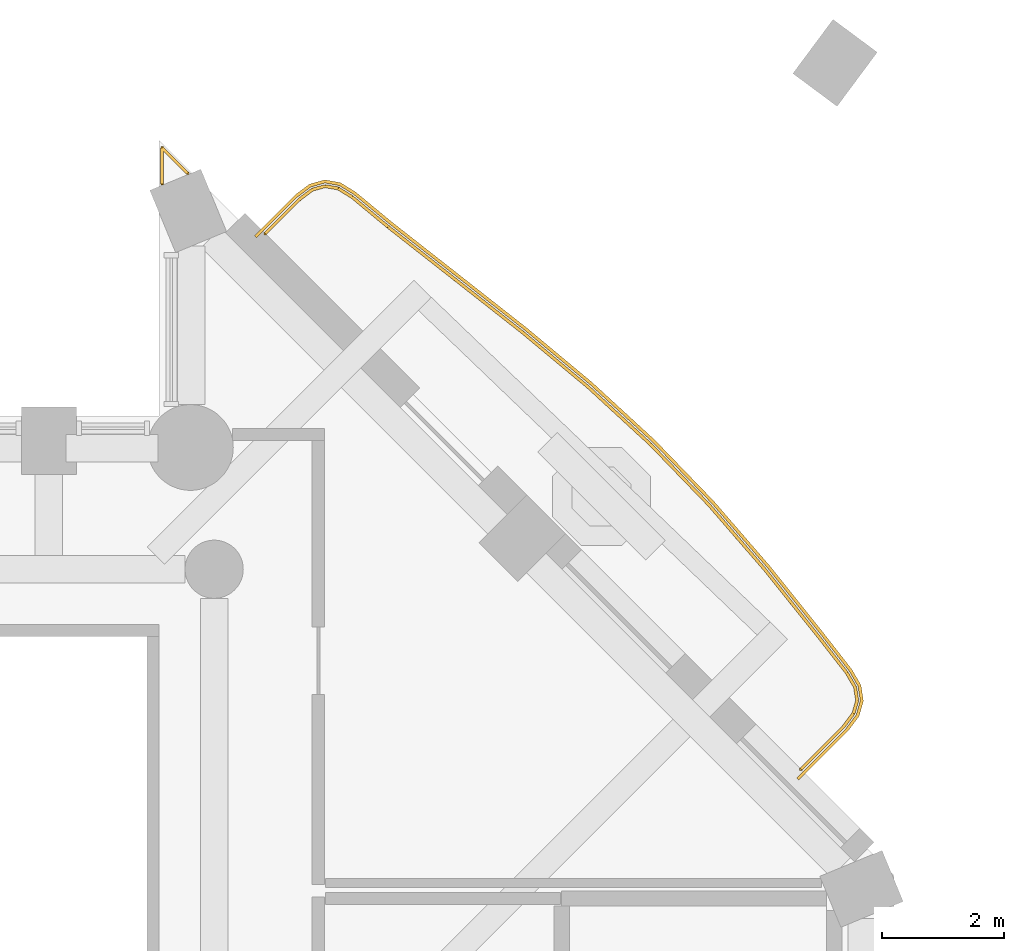
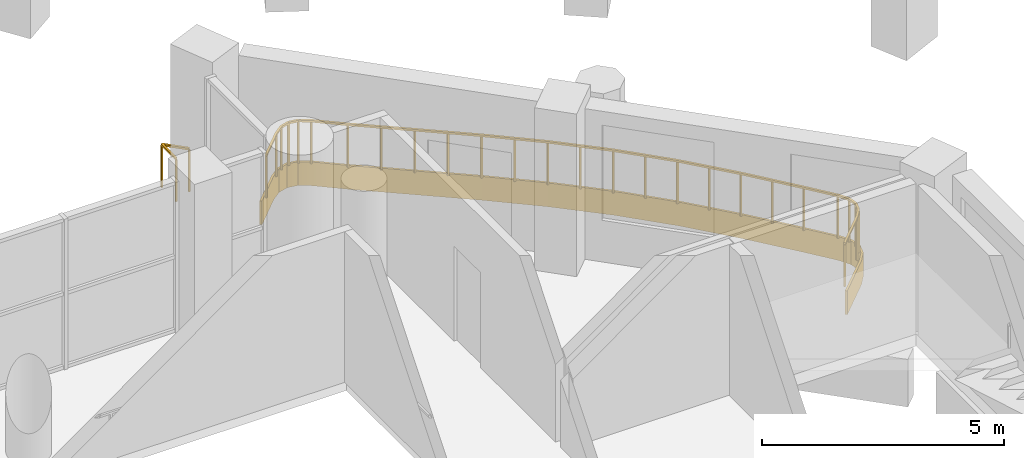
# One storey, part 14 of 15: 2 railings, 1 covering.
"""IFC4 building model written with IfcOpenShell, lengths in metres."""

from ifc_helpers import new_model, si_unit, direction, frame, origin, origin_2d, place, context, subcontext, project, spatial, polyline, rectangle, outline, extrude, material, layer, layer_set, type_object, element, save


model = new_model("IFC4")

# Units and contexts
model_context = context("Model", 3, precision=1e-05, world=origin(), true_north=direction((0.0, 1.0)))
body_context = subcontext(model_context, "Body", "Model", "MODEL_VIEW")
ifc_project = project(units=[si_unit("LENGTHUNIT", "METRE"), si_unit("AREAUNIT", "SQUARE_METRE"), si_unit("VOLUMEUNIT", "CUBIC_METRE"), si_unit("PLANEANGLEUNIT", "RADIAN"), si_unit("MASSUNIT", "GRAM", prefix="KILO")], contexts=[model_context])

# Site, building, storey
site_placement = place(None, origin())
site = spatial("IfcSite", under=ifc_project, at=site_placement, CompositionType="ELEMENT")
building_placement = place(site_placement, origin())
building = spatial("IfcBuilding", under=site, at=building_placement, Name="Cypress Arch Tower", CompositionType="ELEMENT")
storey_placement = place(building_placement, frame((0.0, 0.0, 213.800048828125)))
storey = spatial("IfcBuildingStorey", under=building, at=storey_placement, Name="L47", CompositionType="ELEMENT", Elevation=213.800048828125)

# Covering
ifc_material_1 = material(Name="White powder-coated aluminium fascia", Category="aluminium")
ifc_layer = layer(ifc_material_1, 0.050048828125)
ifc_layer_set = layer_set([ifc_layer], Name="Balcony fascia BF50")
covering_type = type_object("IfcCoveringType", Name="Balcony fascia BF50", PredefinedType="CLADDING", material=ifc_layer_set)
covering_placement = place(storey_placement, frame((0.0, 0.0, -0.60009765625)))
element("IfcCovering", 1, at=covering_placement, inside=storey, type_object=covering_type, Name="Balcony fascia L47-B05", PredefinedType="CLADDING", context=body_context, shape_type="SweptSolid", body=[
    extrude(outline(polyline([(10.3232421875, 16.112060546875), (10.5576171875, 16.28857421875), (10.806640625, 16.357666015625), (11.060791015625, 16.312255859375), (11.310791015625, 16.158447265625), (11.902587890625, 15.668701171875), (13.00048828125, 14.807861328125), (14.098388671875, 13.945068359375), (15.169189453125, 13.053466796875), (16.19189453125, 12.113037109375), (17.15673828125, 11.1142578125), (18.06689453125, 10.0615234375), (18.938720703125, 8.97216796875), (19.4130859375, 8.36328125), (19.560791015625, 8.107666015625), (19.601318359375, 7.849365234375), (19.529296875, 7.59814453125), (19.351318359375, 7.362548828125), (18.545166015625, 6.556396484375), (18.509765625, 6.591796875), (19.3134765625, 7.3955078125), (19.48388671875, 7.620849609375), (19.55029296875, 7.8525390625), (19.5126953125, 8.0908203125), (19.37158203125, 8.33544921875), (18.899658203125, 8.941162109375), (18.028564453125, 10.029541015625), (17.119873046875, 11.080322265625), (16.156982421875, 12.0771484375), (15.13623046875, 13.015869140625), (14.06689453125, 13.90625), (12.969482421875, 14.7685546875), (11.871337890625, 15.629638671875), (11.281494140625, 16.11767578125), (11.042724609375, 16.264892578125), (10.80908203125, 16.306640625), (10.580078125, 16.242919921875), (10.356201171875, 16.07421875), (9.691650390625, 15.40966796875), (9.65625, 15.445068359375), (10.3232421875, 16.112060546875)])), origin(), (0.0, 0.0, 1.0), 0.60009765625),
])

# Railings
ifc_material_2 = material(Name="Powder-coated steel posts and rods, 100 mm clear between rods", Category="steel")
railing_type_1 = type_object("IfcRailingType", Name="Balcony guard GR1100", PredefinedType="GUARDRAIL", material=ifc_material_2)
railing_1_placement = place(storey_placement, frame((9.83251953125, 15.479736328125, 0.0)))
element("IfcRailing", 2, at=railing_1_placement, inside=storey, type_object=railing_type_1, Name="Balcony guard L47-B05", PredefinedType="GUARDRAIL", context=body_context, shape_type="SweptSolid", body=[
    extrude(rectangle(XDim=0.050048828125, YDim=0.050048828125, at=origin_2d()), frame((0.0, 0.0, 1.0751953125), z_axis=(0.707106781187, 0.707106781187, 0.0), x_axis=(-0.707106781187, 0.707106781187, 0.0)), (0.0, 0.0, 1.0), 0.787109375),
    extrude(rectangle(XDim=0.050048828125, YDim=0.050048828125, at=origin_2d()), frame((0.556640625, 0.556640625, 1.0751953125), z_axis=(0.798462580428, 0.602044439934, 0.0), x_axis=(-0.602044439934, 0.798462580428, 0.0)), (0.0, 0.0, 1.0), 0.267333984375),
    extrude(rectangle(XDim=0.050048828125, YDim=0.050048828125, at=origin_2d()), frame((0.77001953125, 0.717529296875, 1.0751953125), z_axis=(0.963372484539, 0.268166843649, 0.0), x_axis=(-0.268166843649, 0.963372484539, 0.0)), (0.0, 0.0, 1.0), 0.216796875),
    extrude(rectangle(XDim=0.050048828125, YDim=0.050048828125, at=origin_2d()), frame((0.978759765625, 0.775634765625, 1.0751953125), z_axis=(0.984441495329, -0.175712669647, 0.0), x_axis=(0.175712669647, 0.984441495329, 0.0)), (0.0, 0.0, 1.0), 0.216796875),
    extrude(rectangle(XDim=0.050048828125, YDim=0.050048828125, at=origin_2d()), frame((1.192138671875, 0.737548828125, 1.0751953125), z_axis=(0.851313517228, -0.524657312333, 0.0), x_axis=(0.524657312333, 0.851313517228, 0.0)), (0.0, 0.0, 1.0), 0.267578125),
    extrude(rectangle(XDim=0.050048828125, YDim=0.050048828125, at=origin_2d()), frame((1.419921875, 0.59716796875, 1.0751953125), z_axis=(0.770421437583, -0.637534946895, 0.0), x_axis=(0.637534946895, 0.770421437583, 0.0)), (0.0, 0.0, 1.0), 0.762451171875),
    extrude(rectangle(XDim=0.050048828125, YDim=0.050048828125, at=origin_2d()), frame((2.00732421875, 0.111083984375, 1.0751953125), z_axis=(0.786870062741, -0.617118711725, 0.0), x_axis=(0.617118711725, 0.786870062741, 0.0)), (0.0, 0.0, 1.0), 1.396484375),
    extrude(rectangle(XDim=0.050048828125, YDim=0.050048828125, at=origin_2d()), frame((3.106201171875, -0.750732421875, 1.0751953125), z_axis=(0.786269745459, -0.617883393025, 0.0), x_axis=(0.617883393025, 0.786269745459, 0.0)), (0.0, 0.0, 1.0), 1.394775390625),
    extrude(rectangle(XDim=0.050048828125, YDim=0.050048828125, at=origin_2d()), frame((4.202880859375, -1.612548828125, 1.0751953125), z_axis=(0.768566831709, -0.639769509431, 0.0), x_axis=(0.639769509431, 0.768566831709, 0.0)), (0.0, 0.0, 1.0), 1.389404296875),
    extrude(rectangle(XDim=0.050048828125, YDim=0.050048828125, at=origin_2d()), frame((5.270751953125, -2.50146484375, 1.0751953125), z_axis=(0.736032949116, -0.676945712606, 0.0), x_axis=(0.676945712606, 0.736032949116, 0.0)), (0.0, 0.0, 1.0), 1.38427734375),
    extrude(rectangle(XDim=0.050048828125, YDim=0.050048828125, at=origin_2d()), frame((6.28955078125, -3.4384765625, 1.0751953125), z_axis=(0.694729984254, -0.719270636811, 0.0), x_axis=(0.719270636811, 0.694729984254, 0.0)), (0.0, 0.0, 1.0), 1.3828125),
    extrude(rectangle(XDim=0.050048828125, YDim=0.050048828125, at=origin_2d()), frame((7.250244140625, -4.43310546875, 1.0751953125), z_axis=(0.654119271921, -0.75639141858, 0.0), x_axis=(0.75639141858, 0.654119271921, 0.0)), (0.0, 0.0, 1.0), 1.386962890625),
    extrude(rectangle(XDim=0.050048828125, YDim=0.050048828125, at=origin_2d()), frame((8.157470703125, -5.482177734375, 1.0751953125), z_axis=(0.624887413459, -0.780714877853, 0.0), x_axis=(0.780714877853, 0.624887413459, 0.0)), (0.0, 0.0, 1.0), 1.392822265625),
    extrude(rectangle(XDim=0.050048828125, YDim=0.050048828125, at=origin_2d()), frame((9.02783203125, -6.569580078125, 1.0751953125), z_axis=(0.61467022895, -0.78878419713, 0.0), x_axis=(0.78878419713, 0.61467022895, 0.0)), (0.0, 0.0, 1.0), 0.76416015625),
    extrude(rectangle(XDim=0.050048828125, YDim=0.050048828125, at=origin_2d()), frame((9.49755859375, -7.17236328125, 1.0751953125), z_axis=(0.500036104519, -0.866004557827, 0.0), x_axis=(0.866004557827, 0.500036104519, 0.0)), (0.0, 0.0, 1.0), 0.26953125),
    extrude(rectangle(XDim=0.050048828125, YDim=0.050048828125, at=origin_2d()), frame((9.63232421875, -7.40576171875, 1.0751953125), z_axis=(0.154713984695, -0.987959302269, 0.0), x_axis=(0.987959302269, 0.154713984695, 0.0)), (0.0, 0.0, 1.0), 0.220947265625),
    extrude(rectangle(XDim=0.050048828125, YDim=0.050048828125, at=origin_2d()), frame((9.66650390625, -7.6240234375, 1.0751953125), z_axis=(-0.275451578671, -0.961314947251, 0.0), x_axis=(0.961314947251, -0.275451578671, 0.0)), (0.0, 0.0, 1.0), 0.220703125),
    extrude(rectangle(XDim=0.050048828125, YDim=0.050048828125, at=origin_2d()), frame((9.605712890625, -7.836181640625, 1.0751953125), z_axis=(-0.603038015224, -0.797712449568, 0.0), x_axis=(0.797712449568, -0.603038015224, 0.0)), (0.0, 0.0, 1.0), 0.26953125),
    extrude(rectangle(XDim=0.050048828125, YDim=0.050048828125, at=origin_2d()), frame((9.443115234375, -8.05126953125, 1.0751953125), z_axis=(-0.706982738249, -0.707230802368, 0.0), x_axis=(0.707230802368, -0.706982738249, 0.0)), (0.0, 0.0, 1.0), 0.984130859375),
    extrude(rectangle(XDim=0.0400390625, YDim=0.0400390625, at=origin_2d()), origin(), (0.0, 0.0, 1.0), 1.050048828125),
    extrude(rectangle(XDim=0.0400390625, YDim=0.0400390625, at=origin_2d()), frame((0.556640625, 0.556640625, 0.0)), (0.0, 0.0, 1.0), 1.050048828125),
    extrude(rectangle(XDim=0.0400390625, YDim=0.0400390625, at=origin_2d()), frame((0.77001953125, 0.717529296875, 0.0)), (0.0, 0.0, 1.0), 1.050048828125),
    extrude(rectangle(XDim=0.0400390625, YDim=0.0400390625, at=origin_2d()), frame((0.978759765625, 0.775634765625, 0.0)), (0.0, 0.0, 1.0), 1.050048828125),
    extrude(rectangle(XDim=0.0400390625, YDim=0.0400390625, at=origin_2d()), frame((1.192138671875, 0.737548828125, 0.0)), (0.0, 0.0, 1.0), 1.050048828125),
    extrude(rectangle(XDim=0.0400390625, YDim=0.0400390625, at=origin_2d()), frame((1.419921875, 0.59716796875, 0.0)), (0.0, 0.0, 1.0), 1.050048828125),
    extrude(rectangle(XDim=0.0400390625, YDim=0.0400390625, at=origin_2d()), frame((2.00732421875, 0.111083984375, 0.0)), (0.0, 0.0, 1.0), 1.050048828125),
    extrude(rectangle(XDim=0.0400390625, YDim=0.0400390625, at=origin_2d()), frame((2.556640625, -0.31982421875, 0.0)), (0.0, 0.0, 1.0), 1.050048828125),
    extrude(rectangle(XDim=0.0400390625, YDim=0.0400390625, at=origin_2d()), frame((3.106201171875, -0.750732421875, 0.0)), (0.0, 0.0, 1.0), 1.050048828125),
    extrude(rectangle(XDim=0.0400390625, YDim=0.0400390625, at=origin_2d()), frame((3.654541015625, -1.181640625, 0.0)), (0.0, 0.0, 1.0), 1.050048828125),
    extrude(rectangle(XDim=0.0400390625, YDim=0.0400390625, at=origin_2d()), frame((4.202880859375, -1.612548828125, 0.0)), (0.0, 0.0, 1.0), 1.050048828125),
    extrude(rectangle(XDim=0.0400390625, YDim=0.0400390625, at=origin_2d()), frame((4.73681640625, -2.05712890625, 0.0)), (0.0, 0.0, 1.0), 1.050048828125),
    extrude(rectangle(XDim=0.0400390625, YDim=0.0400390625, at=origin_2d()), frame((5.270751953125, -2.50146484375, 0.0)), (0.0, 0.0, 1.0), 1.050048828125),
    extrude(rectangle(XDim=0.0400390625, YDim=0.0400390625, at=origin_2d()), frame((5.7802734375, -2.969970703125, 0.0)), (0.0, 0.0, 1.0), 1.050048828125),
    extrude(rectangle(XDim=0.0400390625, YDim=0.0400390625, at=origin_2d()), frame((6.28955078125, -3.4384765625, 0.0)), (0.0, 0.0, 1.0), 1.050048828125),
    extrude(rectangle(XDim=0.0400390625, YDim=0.0400390625, at=origin_2d()), frame((6.77001953125, -3.935791015625, 0.0)), (0.0, 0.0, 1.0), 1.050048828125),
    extrude(rectangle(XDim=0.0400390625, YDim=0.0400390625, at=origin_2d()), frame((7.250244140625, -4.43310546875, 0.0)), (0.0, 0.0, 1.0), 1.050048828125),
    extrude(rectangle(XDim=0.0400390625, YDim=0.0400390625, at=origin_2d()), frame((7.703857421875, -4.95751953125, 0.0)), (0.0, 0.0, 1.0), 1.050048828125),
    extrude(rectangle(XDim=0.0400390625, YDim=0.0400390625, at=origin_2d()), frame((8.157470703125, -5.482177734375, 0.0)), (0.0, 0.0, 1.0), 1.050048828125),
    extrude(rectangle(XDim=0.0400390625, YDim=0.0400390625, at=origin_2d()), frame((8.5927734375, -6.02587890625, 0.0)), (0.0, 0.0, 1.0), 1.050048828125),
    extrude(rectangle(XDim=0.0400390625, YDim=0.0400390625, at=origin_2d()), frame((9.02783203125, -6.569580078125, 0.0)), (0.0, 0.0, 1.0), 1.050048828125),
    extrude(rectangle(XDim=0.0400390625, YDim=0.0400390625, at=origin_2d()), frame((9.49755859375, -7.17236328125, 0.0)), (0.0, 0.0, 1.0), 1.050048828125),
    extrude(rectangle(XDim=0.0400390625, YDim=0.0400390625, at=origin_2d()), frame((9.63232421875, -7.40576171875, 0.0)), (0.0, 0.0, 1.0), 1.050048828125),
    extrude(rectangle(XDim=0.0400390625, YDim=0.0400390625, at=origin_2d()), frame((9.66650390625, -7.6240234375, 0.0)), (0.0, 0.0, 1.0), 1.050048828125),
    extrude(rectangle(XDim=0.0400390625, YDim=0.0400390625, at=origin_2d()), frame((9.605712890625, -7.836181640625, 0.0)), (0.0, 0.0, 1.0), 1.050048828125),
    extrude(rectangle(XDim=0.0400390625, YDim=0.0400390625, at=origin_2d()), frame((9.443115234375, -8.05126953125, 0.0)), (0.0, 0.0, 1.0), 1.050048828125),
    extrude(rectangle(XDim=0.0400390625, YDim=0.0400390625, at=origin_2d()), frame((8.747314453125, -8.747314453125, 0.0)), (0.0, 0.0, 1.0), 1.050048828125),
])
ifc_material_3 = material(Name="Powder-coated steel posts and rods, 100 mm clear between rods", Category="steel")
railing_type_2 = type_object("IfcRailingType", Name="Corner guard GR1100C", PredefinedType="GUARDRAIL", material=ifc_material_3)
railing_2_placement = place(storey_placement, frame((8.14990234375, 16.290771484375, 0.0)))
element("IfcRailing", 3, at=railing_2_placement, inside=storey, type_object=railing_type_2, Name="Corner guard L47 7", PredefinedType="GUARDRAIL", context=body_context, shape_type="SweptSolid", body=[
    extrude(rectangle(XDim=0.050048828125, YDim=0.050048828125, at=origin_2d()), frame((0.0, 0.0, 1.0751953125), z_axis=(0.0, 1.0, 0.0), x_axis=(-1.0, 0.0, 0.0)), (0.0, 0.0, 1.0), 0.588623046875),
    extrude(rectangle(XDim=0.050048828125, YDim=0.050048828125, at=origin_2d()), frame((0.0, 0.588623046875, 1.0751953125), z_axis=(0.707106781187, -0.707106781187, 0.0), x_axis=(0.707106781187, 0.707106781187, 0.0)), (0.0, 0.0, 1.0), 0.588623046875),
    extrude(rectangle(XDim=0.0400390625, YDim=0.0400390625, at=origin_2d()), origin(), (0.0, 0.0, 1.0), 1.050048828125),
    extrude(rectangle(XDim=0.0400390625, YDim=0.0400390625, at=origin_2d()), frame((0.0, 0.588623046875, 0.0)), (0.0, 0.0, 1.0), 1.050048828125),
    extrude(rectangle(XDim=0.0400390625, YDim=0.0400390625, at=origin_2d()), frame((0.416259765625, 0.17236328125, 0.0)), (0.0, 0.0, 1.0), 1.050048828125),
])

save(model, "model.ifc")
